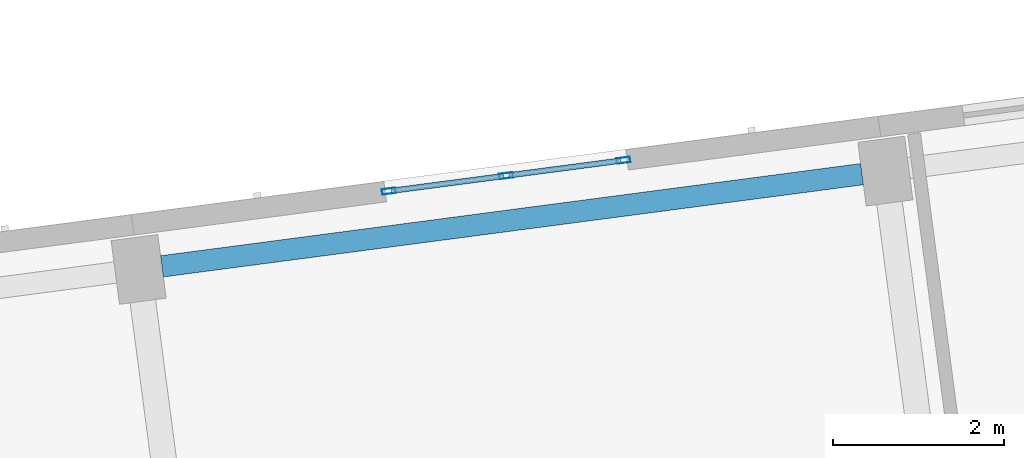
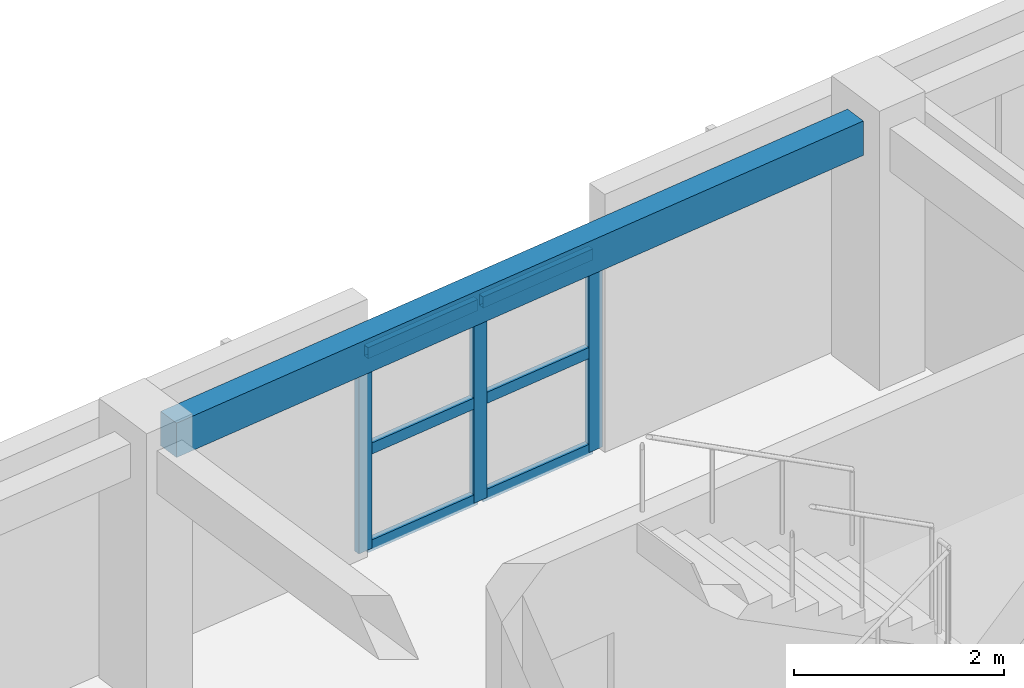
# One storey, part 7 of 74: 9 members, 1 beam, 1 element without a shape of its own.
"""IFC4 building model written with IfcOpenShell, lengths in metres."""

from ifc_helpers import new_model, si_unit, direction, frame, origin, origin_2d, place, context, subcontext, project, spatial, rectangle, hollow_rectangle, extrude, material, material_profile, profile_set, type_object, element, aggregate, save


model = new_model("IFC4")

# Units and contexts
model_context = context("Model", 3, precision=1e-05, world=origin(), true_north=direction((0.0, 1.0)))
body_context = subcontext(model_context, "Body", "Model", "MODEL_VIEW")
ifc_project = project(units=[si_unit("LENGTHUNIT", "METRE"), si_unit("AREAUNIT", "SQUARE_METRE"), si_unit("VOLUMEUNIT", "CUBIC_METRE"), si_unit("PLANEANGLEUNIT", "RADIAN"), si_unit("MASSUNIT", "GRAM", prefix="KILO")], contexts=[model_context])

# Site, building, storey
site_placement = place(None, origin())
site = spatial("IfcSite", under=ifc_project, at=site_placement, CompositionType="ELEMENT")
building_placement = place(site_placement, origin())
building = spatial("IfcBuilding", under=site, at=building_placement, Name="Kestramere Prow Commons", CompositionType="ELEMENT")
storey_placement = place(building_placement, frame((0.0, 0.0, 11.64990234375)))
storey = spatial("IfcBuildingStorey", under=building, at=storey_placement, Name="L03", CompositionType="ELEMENT", Elevation=11.64990234375)

# Curtain wall, members
ifc_material_1 = material(Name="Anodised Aluminium and Low-E Glass", Category="aluminium")
curtain_wall_type = type_object("IfcCurtainWallType", Name="CW-03 Glazed Curtain Wall 2830x2320", PredefinedType="USERDEFINED", material=ifc_material_1)
curtain_wall_placement = place(storey_placement, origin())
curtain_wall = element("IfcCurtainWall", 1, at=curtain_wall_placement, inside=storey, type_object=curtain_wall_type, Name="Block A L03 Stairwell Vertical Glazing 3", ObjectType="GLAZED CURTAIN WALL", PredefinedType="USERDEFINED")
ifc_material_2 = material(Name="Anodised Aluminium 6063-T6", Category="aluminium")
ifc_material_profile_1 = material_profile(ifc_material_2, hollow_rectangle(XDim=0.06494140625, YDim=0.159912109375, WallThickness=0.00390625, at=origin_2d()), Name="ALU-MUL 65x160")
ifc_profile_set_1 = profile_set([ifc_material_profile_1], Name="Anodised Aluminium 6063-T6")
member_type_1 = type_object("IfcMemberType", Name="CW-MUL-65x160", PredefinedType="MULLION", material=ifc_profile_set_1)
member_1_placement = place(storey_placement, frame((28.962158203125, 95.04052734375, 0.0), z_axis=(0.0, 0.0, 1.0), x_axis=(-0.130526494555, 0.991444821571, 0.0)))
member_1 = element("IfcMember", 2, at=member_1_placement, type_object=member_type_1, Name="CW-03 mullion 1", PredefinedType="MULLION", context=body_context, shape_type="SweptSolid", body=[
    extrude(hollow_rectangle(XDim=0.06494140625, YDim=0.159912109375, WallThickness=0.00390625, at=origin_2d()), origin(), (0.0, 0.0, 1.0), 2.320068359375),
])
member_2_placement = place(storey_placement, frame((30.332763671875, 95.220947265625, 0.0), z_axis=(0.0, 0.0, 1.0), x_axis=(-0.130526494555, 0.991444821571, 0.0)))
member_2 = element("IfcMember", 3, at=member_2_placement, type_object=member_type_1, Name="CW-03 mullion 2", PredefinedType="MULLION", context=body_context, shape_type="SweptSolid", body=[
    extrude(hollow_rectangle(XDim=0.06494140625, YDim=0.159912109375, WallThickness=0.00390625, at=origin_2d()), origin(), (0.0, 0.0, 1.0), 2.320068359375),
])
member_3_placement = place(storey_placement, frame((31.703369140625, 95.4013671875, 0.0), z_axis=(0.0, 0.0, 1.0), x_axis=(-0.130526494555, 0.991444821571, 0.0)))
member_3 = element("IfcMember", 4, at=member_3_placement, type_object=member_type_1, Name="CW-03 mullion 3", PredefinedType="MULLION", context=body_context, shape_type="SweptSolid", body=[
    extrude(hollow_rectangle(XDim=0.06494140625, YDim=0.159912109375, WallThickness=0.00390625, at=origin_2d()), origin(), (0.0, 0.0, 1.0), 2.320068359375),
])
ifc_material_profile_2 = material_profile(ifc_material_2, hollow_rectangle(XDim=0.06494140625, YDim=0.1298828125, WallThickness=0.00390625, at=origin_2d()), Name="ALU-TRN 65x130")
ifc_profile_set_2 = profile_set([ifc_material_profile_2], Name="Anodised Aluminium 6063-T6")
member_type_2 = type_object("IfcMemberType", Name="CW-TRN-65x130", PredefinedType="USERDEFINED", material=ifc_profile_set_2)
member_4_placement = place(storey_placement, frame((28.994384765625, 95.044677734375, 0.03271484375), z_axis=(0.99142904707, 0.130646257605, 0.0), x_axis=(-0.130646257605, 0.99142904707, 0.0)))
member_4 = element("IfcMember", 5, at=member_4_placement, type_object=member_type_2, Name="CW-03 transom 1.1", ObjectType="TRANSOM", PredefinedType="USERDEFINED", context=body_context, shape_type="SweptSolid", body=[
    extrude(hollow_rectangle(XDim=0.06494140625, YDim=0.1298828125, WallThickness=0.00390625, at=origin_2d()), origin(), (0.0, 0.0, 1.0), 1.3173828125),
])
member_5_placement = place(storey_placement, frame((28.994384765625, 95.044677734375, 1.16015625), z_axis=(0.99142904707, 0.130646257605, 0.0), x_axis=(-0.130646257605, 0.99142904707, 0.0)))
member_5 = element("IfcMember", 6, at=member_5_placement, type_object=member_type_2, Name="CW-03 transom 1.2", ObjectType="TRANSOM", PredefinedType="USERDEFINED", context=body_context, shape_type="SweptSolid", body=[
    extrude(hollow_rectangle(XDim=0.06494140625, YDim=0.1298828125, WallThickness=0.00390625, at=origin_2d()), origin(), (0.0, 0.0, 1.0), 1.3173828125),
])
member_6_placement = place(storey_placement, frame((28.994384765625, 95.044677734375, 2.28759765625), z_axis=(0.99142904707, 0.130646257605, 0.0), x_axis=(-0.130646257605, 0.99142904707, 0.0)))
member_6 = element("IfcMember", 7, at=member_6_placement, type_object=member_type_2, Name="CW-03 transom 1.3", ObjectType="TRANSOM", PredefinedType="USERDEFINED", context=body_context, shape_type="SweptSolid", body=[
    extrude(hollow_rectangle(XDim=0.06494140625, YDim=0.1298828125, WallThickness=0.00390625, at=origin_2d()), origin(), (0.0, 0.0, 1.0), 1.3173828125),
])
member_7_placement = place(storey_placement, frame((30.364990234375, 95.225341796875, 0.03271484375), z_axis=(0.991453033969, 0.130464100171, 0.0), x_axis=(-0.130464100171, 0.991453033969, 0.0)))
member_7 = element("IfcMember", 8, at=member_7_placement, type_object=member_type_2, Name="CW-03 transom 2.1", ObjectType="TRANSOM", PredefinedType="USERDEFINED", context=body_context, shape_type="SweptSolid", body=[
    extrude(hollow_rectangle(XDim=0.06494140625, YDim=0.1298828125, WallThickness=0.00390625, at=origin_2d()), origin(), (0.0, 0.0, 1.0), 1.3173828125),
])
member_8_placement = place(storey_placement, frame((30.364990234375, 95.225341796875, 1.16015625), z_axis=(0.991453033969, 0.130464100171, 0.0), x_axis=(-0.130464100171, 0.991453033969, 0.0)))
member_8 = element("IfcMember", 9, at=member_8_placement, type_object=member_type_2, Name="CW-03 transom 2.2", ObjectType="TRANSOM", PredefinedType="USERDEFINED", context=body_context, shape_type="SweptSolid", body=[
    extrude(hollow_rectangle(XDim=0.06494140625, YDim=0.1298828125, WallThickness=0.00390625, at=origin_2d()), origin(), (0.0, 0.0, 1.0), 1.3173828125),
])
member_9_placement = place(storey_placement, frame((30.364990234375, 95.225341796875, 2.28759765625), z_axis=(0.991453033969, 0.130464100171, 0.0), x_axis=(-0.130464100171, 0.991453033969, 0.0)))
member_9 = element("IfcMember", 10, at=member_9_placement, type_object=member_type_2, Name="CW-03 transom 2.3", ObjectType="TRANSOM", PredefinedType="USERDEFINED", context=body_context, shape_type="SweptSolid", body=[
    extrude(hollow_rectangle(XDim=0.06494140625, YDim=0.1298828125, WallThickness=0.00390625, at=origin_2d()), origin(), (0.0, 0.0, 1.0), 1.3173828125),
])
aggregate(curtain_wall, [member_1, member_2, member_3, member_4, member_5, member_6, member_7, member_8, member_9])

# Beam
ifc_material_3 = material(Name="Precast concrete C40/50", Category="concrete")
ifc_material_profile_3 = material_profile(ifc_material_3, rectangle(XDim=0.25, YDim=0.39990234375, at=origin_2d()), Name="PC-SP 250x400")
ifc_profile_set_3 = profile_set([ifc_material_profile_3], Name="Precast concrete C40/50")
beam_type = type_object("IfcBeamType", Name="SP-EXT-01 PC-SP 250x400", PredefinedType="SPANDREL", material=ifc_profile_set_3)
beam_placement = place(storey_placement, frame((26.3115234375, 94.162109375, 2.800048828125), z_axis=(0.991443917843, 0.130533358852, 0.0), x_axis=(-0.130533358852, 0.991443917843, 0.0)))
element("IfcBeam", 11, at=beam_placement, inside=storey, type_object=beam_type, Name="Block A L03 Longitudinal Beam 4-3", PredefinedType="SPANDREL", context=body_context, shape_type="SweptSolid", body=[
    extrude(rectangle(XDim=0.25, YDim=0.39990234375, at=origin_2d()), origin(), (0.0, 0.0, 1.0), 8.25),
])

save(model, "model.ifc")
